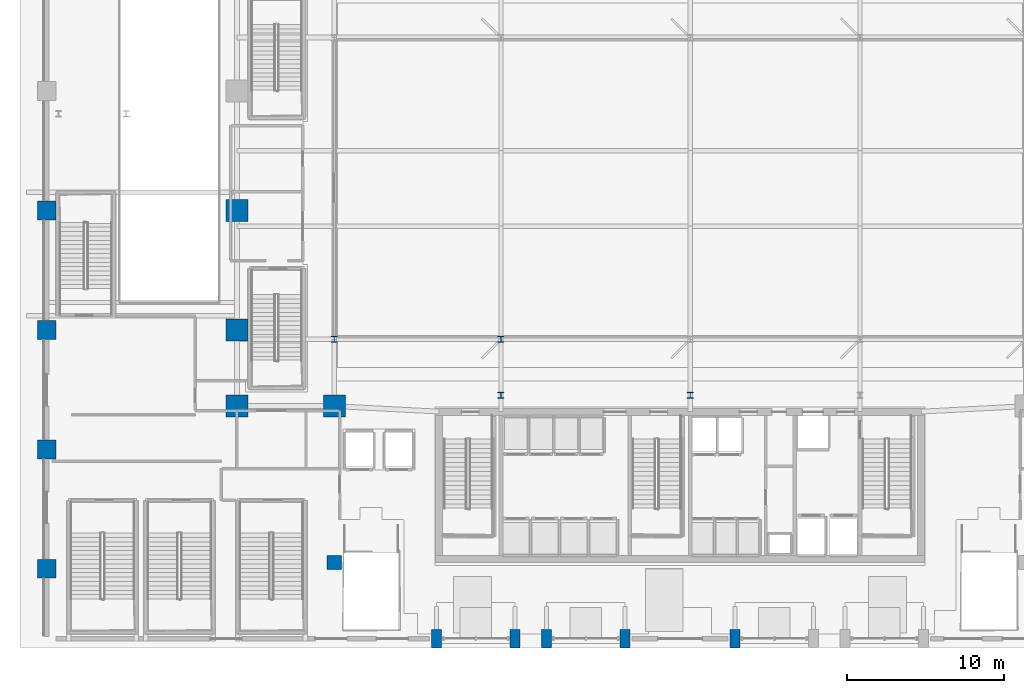
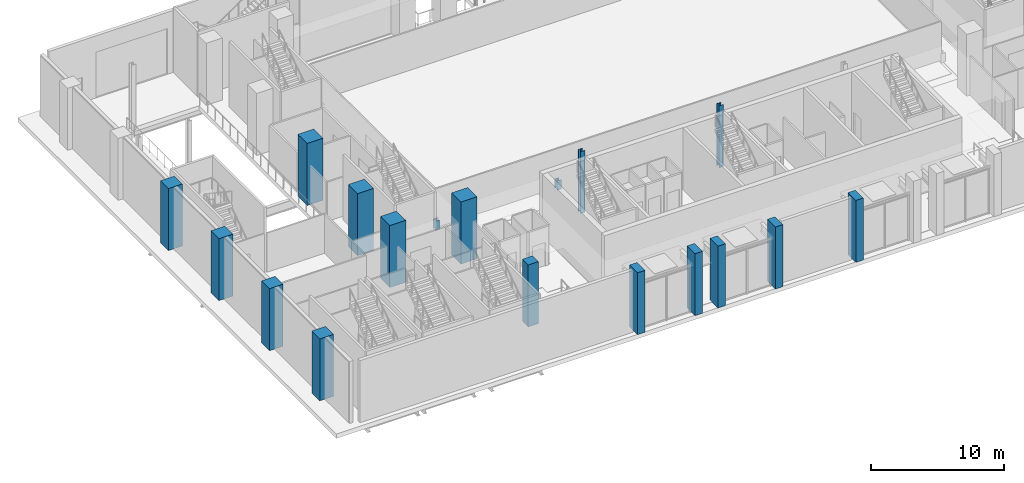
# One storey, part 1 of 36: 18 columns.
"""IFC4 building model written with IfcOpenShell, lengths in metres."""

from ifc_helpers import new_model, si_unit, direction, frame, origin, origin_2d, place, context, subcontext, project, spatial, rectangle, i_section, extrude, material, material_profile, profile_set, type_object, element, save


model = new_model("IFC4")

# Units and contexts
model_context = context("Model", 3, precision=1e-05, world=origin(), true_north=direction((0.0, 1.0)))
body_context = subcontext(model_context, "Body", "Model", "MODEL_VIEW")
ifc_project = project(units=[si_unit("LENGTHUNIT", "METRE"), si_unit("AREAUNIT", "SQUARE_METRE"), si_unit("VOLUMEUNIT", "CUBIC_METRE"), si_unit("PLANEANGLEUNIT", "RADIAN"), si_unit("MASSUNIT", "GRAM", prefix="KILO")], contexts=[model_context])

# Site, building, storey
site_placement = place(None, origin())
site = spatial("IfcSite", under=ifc_project, at=site_placement, CompositionType="ELEMENT")
building_placement = place(site_placement, origin())
building = spatial("IfcBuilding", under=site, at=building_placement, Name="Ndaravel Arena Tower", CompositionType="ELEMENT")
storey_placement = place(building_placement, origin())
storey = spatial("IfcBuildingStorey", under=building, at=storey_placement, Name="L00", CompositionType="ELEMENT", Elevation=0.0)

# Columns
ifc_material_1 = material(Name="Concrete C40/50", Category="concrete")
ifc_material_profile_1 = material_profile(ifc_material_1, rectangle(XDim=0.89990234375, YDim=0.89990234375, at=origin_2d()), Name="RC 900x900")
ifc_profile_set_1 = profile_set([ifc_material_profile_1], Name="Concrete C40/50")
column_type_1 = type_object("IfcColumnType", Name="COL-BSMT-RC900", PredefinedType="COLUMN", material=ifc_profile_set_1)
column_placement = place(storey_placement, frame((20.0, 5.39990234375, 0.0), z_axis=(0.0, 0.0, 1.0), x_axis=(1.0, 0.0, 0.0)))
element("IfcColumn", 1, at=column_placement, inside=storey, type_object=column_type_1, Name="L00 South Concourse Column 01", PredefinedType="COLUMN", context=body_context, shape_type="SweptSolid", body=[
    extrude(rectangle(XDim=0.89990234375, YDim=0.89990234375, at=origin_2d()), origin(), (0.0, 0.0, 1.0), 5.699951171875),
])
ifc_material_2 = material(Name="Steel S355", Category="steel")
ifc_material_profile_2 = material_profile(ifc_material_2, i_section(OverallWidth=0.374755859375, OverallDepth=0.37451171875, WebThickness=0.0166015625, FlangeThickness=0.027099609375, FilletRadius=0.01513671875, at=origin_2d()), Name="UC 356x368x202")
ifc_profile_set_2 = profile_set([ifc_material_profile_2], Name="Steel S355")
column_type_2 = type_object("IfcColumnType", Name="COL-CRN-UC202", PredefinedType="COLUMN", material=ifc_profile_set_2)
for number, where, z_axis, x_axis, name in (
    (2, (20.0, 19.60009765625, 0.0), (0.0, 0.0, 1.0), (1.0, 0.0, 0.0), "L00 South Stand Raker Plinth Post 1"),
    (3, (30.60009765625, 19.60009765625, 0.0), (0.0, 0.0, 1.0), (1.0, 0.0, 0.0), "L00 South Stand Raker Plinth Post 2"),
):
    element("IfcColumn", number, at=place(storey_placement, frame(where, z_axis=z_axis, x_axis=x_axis)), inside=storey, type_object=column_type_2, Name=name, PredefinedType="COLUMN", context=body_context, shape_type="SweptSolid", body=[
        extrude(i_section(OverallWidth=0.374755859375, OverallDepth=0.37451171875, WebThickness=0.0166015625, FlangeThickness=0.027099609375, FilletRadius=0.01513671875, at=origin_2d()), origin(), (0.0, 0.0, 1.0), 0.85009765625),
    ])
for number, where, z_axis, x_axis, name in (
    (4, (30.60009765625, 16.050048828125, 0.0), (0.0, 0.0, 1.0), (1.0, 0.0, 0.0), "L00 South Stand Raker Column 2"),
    (5, (42.64990234375, 16.050048828125, 0.0), (0.0, 0.0, 1.0), (1.0, 0.0, 0.0), "L00 South Stand Raker Column 3"),
):
    element("IfcColumn", number, at=place(storey_placement, frame(where, z_axis=z_axis, x_axis=x_axis)), inside=storey, type_object=column_type_2, Name=name, PredefinedType="COLUMN", context=body_context, shape_type="SweptSolid", body=[
        extrude(i_section(OverallWidth=0.374755859375, OverallDepth=0.37451171875, WebThickness=0.0166015625, FlangeThickness=0.027099609375, FilletRadius=0.01513671875, at=origin_2d()), origin(), (0.0, 0.0, 1.0), 5.699951171875),
    ])
ifc_material_3 = material(Name="Concrete C60/75", Category="concrete")
ifc_material_profile_3 = material_profile(ifc_material_3, rectangle(XDim=1.199951171875, YDim=1.199951171875, at=origin_2d()), Name="RC 1200x1200")
ifc_profile_set_3 = profile_set([ifc_material_profile_3], Name="Concrete C60/75")
column_type_3 = type_object("IfcColumnType", Name="COL-MEGA-RC1200", PredefinedType="COLUMN", material=ifc_profile_set_3)
for number, where, z_axis, x_axis, name in (
    (6, (1.699951171875, 5.0, 0.0), (0.0, 0.0, 1.0), (1.0, 0.0, 0.0), "L00 Perimeter Mega Column 01"),
    (7, (1.699951171875, 12.60009765625, 0.0), (0.0, 0.0, 1.0), (1.0, 0.0, 0.0), "L00 Perimeter Mega Column 02"),
    (8, (1.699951171875, 20.199951171875, 0.0), (0.0, 0.0, 1.0), (1.0, 0.0, 0.0), "L00 Perimeter Mega Column 03"),
    (9, (1.699951171875, 27.800048828125, 0.0), (0.0, 0.0, 1.0), (1.0, 0.0, 0.0), "L00 Perimeter Mega Column 04"),
):
    element("IfcColumn", number, at=place(storey_placement, frame(where, z_axis=z_axis, x_axis=x_axis)), inside=storey, type_object=column_type_3, Name=name, PredefinedType="COLUMN", context=body_context, shape_type="SweptSolid", body=[
        extrude(rectangle(XDim=1.199951171875, YDim=1.199951171875, at=origin_2d()), origin(), (0.0, 0.0, 1.0), 5.699951171875),
    ])
ifc_material_4 = material(Name="Concrete C60/75", Category="concrete")
ifc_material_profile_4 = material_profile(ifc_material_4, rectangle(XDim=1.39990234375, YDim=1.39990234375, at=origin_2d()), Name="RC 1400x1400")
ifc_profile_set_4 = profile_set([ifc_material_profile_4], Name="Concrete C60/75")
column_type_4 = type_object("IfcColumnType", Name="COL-MEGA-RC1400", PredefinedType="COLUMN", material=ifc_profile_set_4)
for number, where, z_axis, x_axis, name in (
    (10, (13.800048828125, 15.35009765625, 0.0), (0.0, 0.0, 1.0), (1.0, 0.0, 0.0), "L00 Arena Ring Mega Column 01"),
    (11, (13.800048828125, 20.199951171875, 0.0), (0.0, 0.0, 1.0), (1.0, 0.0, 0.0), "L00 Arena Ring Mega Column 02"),
    (12, (13.800048828125, 27.800048828125, 0.0), (0.0, 0.0, 1.0), (1.0, 0.0, 0.0), "L00 Arena Ring Mega Column 03"),
    (13, (20.0, 15.35009765625, 0.0), (0.0, 0.0, 1.0), (1.0, 0.0, 0.0), "L00 Arena Ring Mega Column 11"),
):
    element("IfcColumn", number, at=place(storey_placement, frame(where, z_axis=z_axis, x_axis=x_axis)), inside=storey, type_object=column_type_4, Name=name, PredefinedType="COLUMN", context=body_context, shape_type="SweptSolid", body=[
        extrude(rectangle(XDim=1.39990234375, YDim=1.39990234375, at=origin_2d()), origin(), (0.0, 0.0, 1.0), 5.699951171875),
    ])
ifc_material_5 = material(Name="Concrete C40/50", Category="concrete")
ifc_material_profile_5 = material_profile(ifc_material_5, rectangle(XDim=0.64990234375, YDim=1.199951171875, at=origin_2d()), Name="RC 650x1200")
ifc_profile_set_5 = profile_set([ifc_material_profile_5], Name="Concrete C40/50")
column_type_5 = type_object("IfcColumnType", Name="COL-PIL-RC650", PredefinedType="PILASTER", material=ifc_profile_set_5)
for number, where, z_axis, x_axis, name in (
    (14, (26.5, 0.550048828125, 0.0), (0.0, 0.0, 1.0), (1.0, 0.0, 0.0), "L00 South Foyer Pilaster 01"),
    (15, (31.5, 0.550048828125, 0.0), (0.0, 0.0, 1.0), (1.0, 0.0, 0.0), "L00 South Foyer Pilaster 02"),
    (16, (33.5, 0.550048828125, 0.0), (0.0, 0.0, 1.0), (1.0, 0.0, 0.0), "L00 South Foyer Pilaster 03"),
    (17, (38.5, 0.550048828125, 0.0), (0.0, 0.0, 1.0), (1.0, 0.0, 0.0), "L00 South Foyer Pilaster 04"),
    (18, (45.5, 0.550048828125, 0.0), (0.0, 0.0, 1.0), (1.0, 0.0, 0.0), "L00 South Foyer Pilaster 05"),
):
    element("IfcColumn", number, at=place(storey_placement, frame(where, z_axis=z_axis, x_axis=x_axis)), inside=storey, type_object=column_type_5, Name=name, PredefinedType="PILASTER", context=body_context, shape_type="SweptSolid", body=[
        extrude(rectangle(XDim=0.64990234375, YDim=1.199951171875, at=origin_2d()), origin(), (0.0, 0.0, 1.0), 5.699951171875),
    ])

save(model, "model.ifc")
